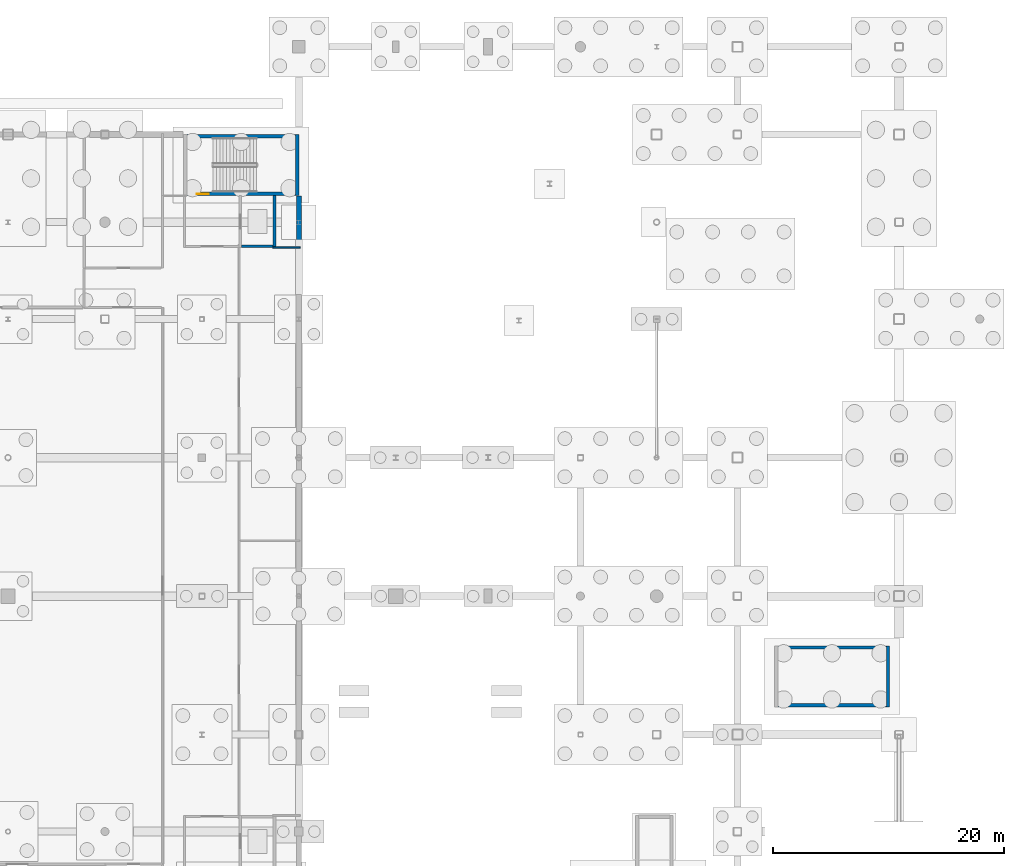
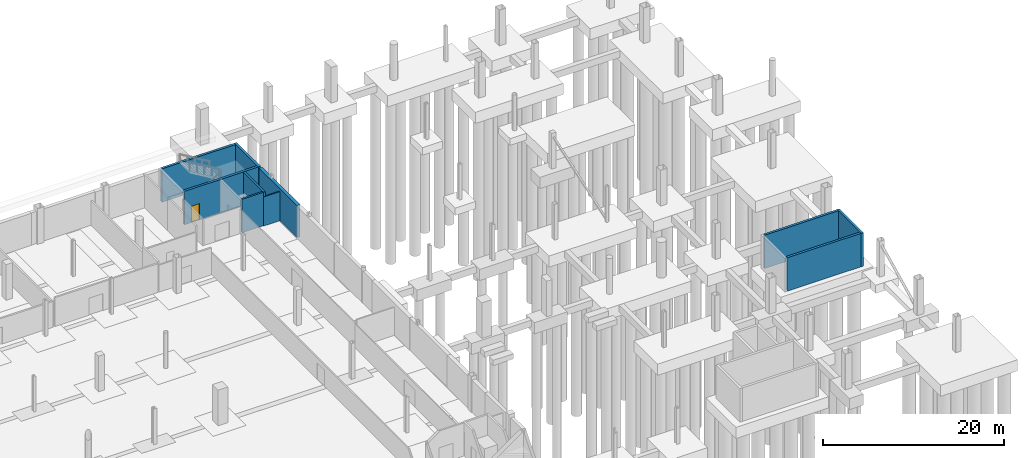
# One storey, part 28 of 34: 10 walls, 1 door, 1 opening.
"""IFC4 building model written with IfcOpenShell, lengths in metres."""

from ifc_helpers import new_model, si_unit, direction, frame, frame_2d, origin, place, context, subcontext, project, spatial, rectangle, extrude, material, layer, layer_set, type_object, element, fill, save


model = new_model("IFC4")

# Units and contexts
model_context = context("Model", 3, precision=1e-05, world=origin(), true_north=direction((0.0, 1.0)))
body_context = subcontext(model_context, "Body", "Model", "MODEL_VIEW")
ifc_project = project(units=[si_unit("LENGTHUNIT", "METRE"), si_unit("AREAUNIT", "SQUARE_METRE"), si_unit("VOLUMEUNIT", "CUBIC_METRE"), si_unit("PLANEANGLEUNIT", "RADIAN"), si_unit("MASSUNIT", "GRAM", prefix="KILO")], contexts=[model_context])

# Site, building, storey
site_placement = place(None, origin())
site = spatial("IfcSite", under=ifc_project, at=site_placement, CompositionType="ELEMENT")
building_placement = place(site_placement, origin())
building = spatial("IfcBuilding", under=site, at=building_placement, Name="Larkvane Passage Sports Hall", CompositionType="ELEMENT")
storey_placement = place(building_placement, frame((0.0, 0.0, -4.800048828125)))
storey = spatial("IfcBuildingStorey", under=building, at=storey_placement, Name="B01", CompositionType="ELEMENT", Elevation=-4.800048828125)

# Wall
ifc_material_1 = material(Name="Concrete C50/60", Category="concrete")
ifc_layer_1 = layer(ifc_material_1, 0.360107421875)
ifc_layer_set_1 = layer_set([ifc_layer_1], Name="Concrete C50/60")
wall_type_1 = type_object("IfcWallType", Name="WL-CORE-360", PredefinedType="SHEAR", material=ifc_layer_set_1)
wall_1_placement = place(storey_placement, frame((93.449951171875, 91.60009765625, 0.0), z_axis=(0.0, 0.0, 1.0), x_axis=(0.0, -1.0, 0.0)))
element("IfcWall", 1, at=wall_1_placement, inside=storey, type_object=wall_type_1, Name="Core shear wall WAL-CORE-C3-B01-E", PredefinedType="SHEAR", context=body_context, shape_type="SweptSolid", body=[
    extrude(rectangle(XDim=5.300048828125, YDim=0.300048828125, at=frame_2d((2.64990234375, 0.0))), origin(), (0.0, 0.0, 1.0), 4.510009765625),
])

# Wall, opening, door
wall_2_placement = place(storey_placement, frame((93.300048828125, 86.449951171875, 0.0), z_axis=(0.0, 0.0, 1.0), x_axis=(-1.0, 0.0, 0.0)))
wall_2 = element("IfcWall", 2, at=wall_2_placement, inside=storey, type_object=wall_type_1, Name="Core shear wall WAL-CORE-C3-B01-S", PredefinedType="SHEAR", context=body_context, shape_type="SweptSolid", body=[
    extrude(rectangle(XDim=9.400146484375, YDim=0.300048828125, at=frame_2d((4.7001953125, 0.0))), origin(), (0.0, 0.0, 1.0), 4.510009765625),
])
opening_placement = place(wall_2_placement, frame((7.5, 0.0, 0.0)))
opening = element("IfcOpeningElement", 3, at=opening_placement, cuts=wall_2, Name="Opening DF-01", PredefinedType="OPENING", context=body_context, shape_type="SweptSolid", body=[
    extrude(rectangle(XDim=1.050048828125, YDim=2.199951171875, at=frame_2d((0.52490234375, 1.10009765625))), frame((0.0, 0.159912109375, 0.0), z_axis=(0.0, -1.0, 0.0), x_axis=(1.0, 0.0, 0.0)), (0.0, 0.0, 1.0), 0.320068359375),
])
ifc_material_2 = material(Name="Steel S355JR smoke-sealed fire door", Category="steel")
door_type = type_object("IfcDoorType", Name="DR-FIRE-1050", OperationType="NOTDEFINED", PredefinedType="DOOR", material=ifc_material_2)
door_placement = place(opening_placement, origin())
door = element("IfcDoor", 4, at=door_placement, inside=storey, type_object=door_type, Name="Stair ST-03 B01 fire door", OperationType="SINGLE_SWING_RIGHT", OverallHeight=2.199951171875, OverallWidth=1.050048828125, PredefinedType="DOOR", context=body_context, shape_type="SweptSolid", body=[
    extrude(rectangle(XDim=1.050048828125, YDim=2.199951171875, at=frame_2d((0.52490234375, 1.10009765625))), frame((0.0, 0.02490234375, 0.0), z_axis=(0.0, -1.0, 0.0), x_axis=(1.0, 0.0, 0.0)), (0.0, 0.0, 1.0), 0.050048828125),
])
fill(opening, door)

# Walls
wall_3_placement = place(storey_placement, frame((83.89990234375, 91.449951171875, 0.0), z_axis=(0.0, 0.0, 1.0), x_axis=(1.0, 0.0, 0.0)))
element("IfcWall", 5, at=wall_3_placement, inside=storey, type_object=wall_type_1, Name="Core shear wall WAL-CORE-C3-B01-N", PredefinedType="SHEAR", context=body_context, shape_type="SweptSolid", body=[
    extrude(rectangle(XDim=9.400146484375, YDim=0.300048828125, at=frame_2d((4.7001953125, 0.0))), origin(), (0.0, 0.0, 1.0), 4.510009765625),
])
ifc_material_3 = material(Name="Gypsum twin-stud fire-rated partition")
ifc_layer_2 = layer(ifc_material_3, 0.125)
ifc_layer_set_2 = layer_set([ifc_layer_2], Name="Gypsum twin-stud fire-rated partition")
wall_type_2 = type_object("IfcWallType", Name="WL-PART-125", PredefinedType="PARTITIONING", material=ifc_layer_set_2)
wall_4_placement = place(storey_placement, frame((91.340087890625, 81.800048828125, 0.0), z_axis=(0.0, 0.0, 1.0), x_axis=(1.0, 0.0, 0.0)))
element("IfcWall", 6, at=wall_4_placement, inside=storey, type_object=wall_type_2, Name="Interior partition WAL-PART-B01-0021", PredefinedType="PARTITIONING", context=body_context, shape_type="SweptSolid", body=[
    extrude(rectangle(XDim=2.3740234375, YDim=0.125, at=frame_2d((1.18701171875, 0.0))), origin(), (0.0, 0.0, 1.0), 3.920166015625),
])
ifc_layer_3 = layer(ifc_material_1, 0.300048828125)
ifc_layer_set_3 = layer_set([ifc_layer_3], Name="Concrete C50/60")
wall_type_3 = type_object("IfcWallType", Name="WL-RAMP-300", PredefinedType="SHEAR", material=ifc_layer_set_3)
wall_5_placement = place(storey_placement, frame((144.64990234375, 47.300048828125, 0.0), z_axis=(0.0, 0.0, 1.0), x_axis=(0.0, -1.0, 0.0)))
element("IfcWall", 7, at=wall_5_placement, inside=storey, type_object=wall_type_3, Name="Core foundation plinth wall C7 B01 E", PredefinedType="SHEAR", context=body_context, shape_type="SweptSolid", body=[
    extrude(rectangle(XDim=5.300048828125, YDim=0.300048828125, at=frame_2d((2.64990234375, 0.0))), origin(), (0.0, 0.0, 1.0), 4.510009765625),
])
for number, where, z_axis, x_axis, name in (
    (8, (144.5, 42.14990234375, 0.0), (0.0, 0.0, 1.0), (-1.0, 0.0, 0.0), "Core foundation plinth wall C7 B01 S"),
    (9, (135.10009765625, 47.14990234375, 0.0), (0.0, 0.0, 1.0), (1.0, 0.0, 0.0), "Core foundation plinth wall C7 B01 N"),
):
    element("IfcWall", number, at=place(storey_placement, frame(where, z_axis=z_axis, x_axis=x_axis)), inside=storey, type_object=wall_type_3, Name=name, PredefinedType="SHEAR", context=body_context, shape_type="SweptSolid", body=[
        extrude(rectangle(XDim=9.39990234375, YDim=0.300048828125, at=frame_2d((4.699951171875, 0.0))), origin(), (0.0, 0.0, 1.0), 4.510009765625),
    ])
ifc_material_4 = material(Name="Concrete C40/50", Category="concrete")
ifc_layer_4 = layer(ifc_material_4, 0.419921875)
ifc_layer_set_4 = layer_set([ifc_layer_4], Name="Concrete C40/50")
wall_type_4 = type_object("IfcWallType", Name="WL-RET-420", PredefinedType="USERDEFINED", material=ifc_layer_set_4)
wall_6_placement = place(storey_placement, frame((93.60009765625, 77.971435546875, 0.0), z_axis=(0.0, 0.0, 1.0), x_axis=(0.0, 1.0, 0.0)))
element("IfcWall", 10, at=wall_6_placement, inside=storey, type_object=wall_type_4, Name="Basement retaining wall B01-016", ObjectType="RETAININGWALL", PredefinedType="USERDEFINED", context=body_context, shape_type="SweptSolid", body=[
    extrude(rectangle(XDim=8.30859375, YDim=0.419921875, at=frame_2d((4.154296875, 0.0))), origin(), (0.0, 0.0, 1.0), 4.320068359375),
])
ifc_layer_5 = layer(ifc_material_4, 0.219970703125)
ifc_layer_set_5 = layer_set([ifc_layer_5], Name="Concrete C40/50")
wall_type_5 = type_object("IfcWallType", Name="WL-SHAFT-220", PredefinedType="SOLIDWALL", material=ifc_layer_set_5)
wall_7_placement = place(storey_placement, frame((91.489990234375, 81.800048828125, 0.0), z_axis=(0.0, 0.0, 1.0), x_axis=(0.0, 1.0, 0.0)))
element("IfcWall", 11, at=wall_7_placement, inside=storey, type_object=wall_type_5, Name="Lift shaft rear wall L-04 B01", PredefinedType="SOLIDWALL", context=body_context, shape_type="SweptSolid", body=[
    extrude(rectangle(XDim=4.5, YDim=0.219970703125, at=frame_2d((2.25, 0.0))), origin(), (0.0, 0.0, 1.0), 4.510009765625),
])
wall_8_placement = place(storey_placement, frame((88.6201171875, 81.909912109375, 0.0), z_axis=(0.0, 0.0, 1.0), x_axis=(1.0, 0.0, 0.0)))
element("IfcWall", 12, at=wall_8_placement, inside=storey, type_object=wall_type_5, Name="Lift shaft end wall L-04 B01", PredefinedType="SOLIDWALL", context=body_context, shape_type="SweptSolid", body=[
    extrude(rectangle(XDim=2.759765625, YDim=0.219970703125, at=frame_2d((1.3798828125, 0.0))), origin(), (0.0, 0.0, 1.0), 4.510009765625),
])

save(model, "model.ifc")
